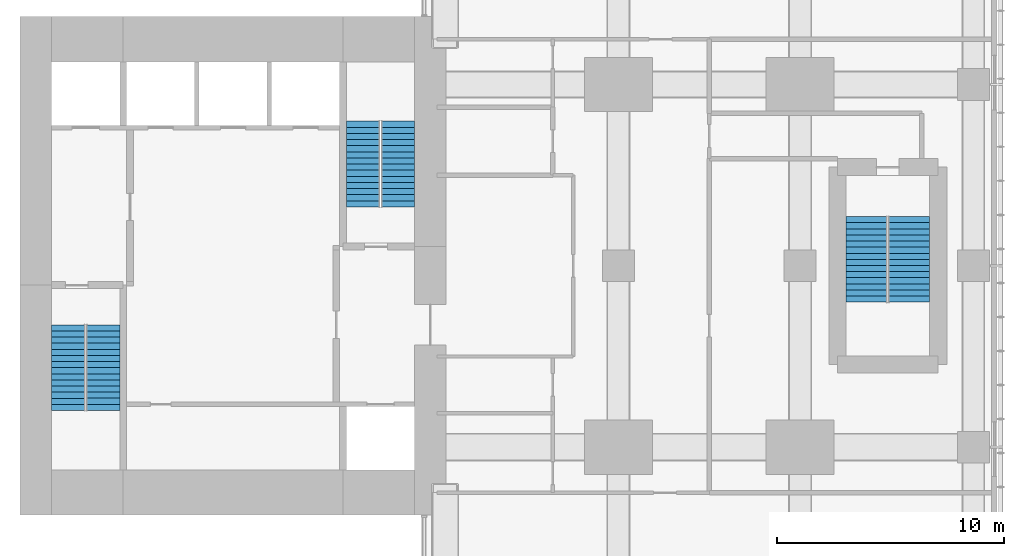
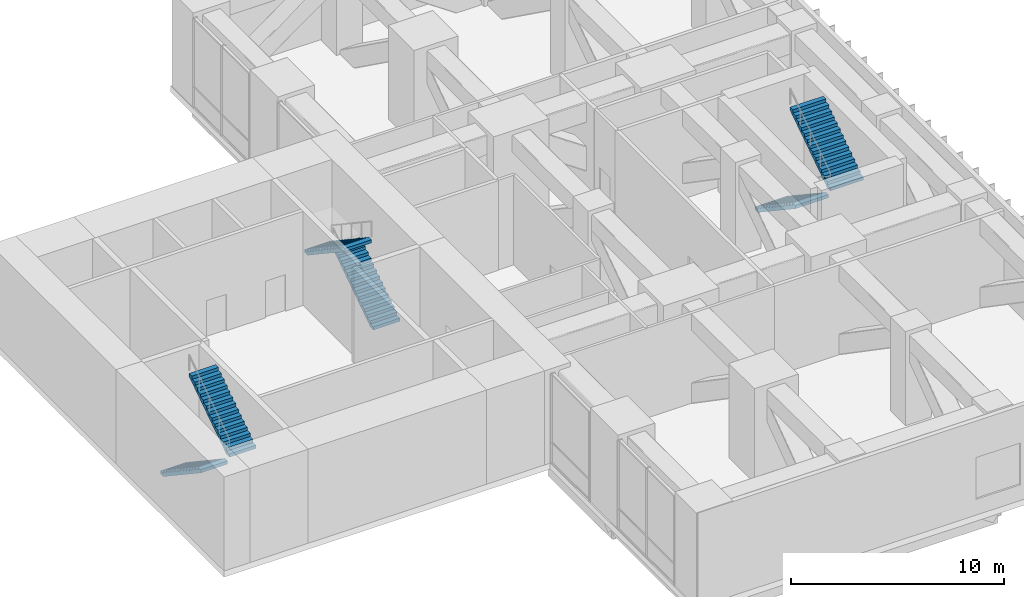
# One storey, part 9 of 10: 6 stair flights, 3 elements without a shape of their own.
"""IFC4 building model written with IfcOpenShell, lengths in metres."""

import ifcopenshell
import ifcopenshell.guid

model = None  # the IFC model being written
_history = None  # IfcOwnerHistory: only IFC2X3 demands one
_inside = {}  # id of a spatial element -> (the spatial element, [elements in it])
_under = {}  # id of a project, library or spatial element -> (it, [spatial elements below it])
_declared = {}  # id of a project -> (the project, [libraries it declares])
_typed = {}  # id of a type object -> (the type object, [elements of that type])
_made_of = {}  # id of a material, layer set ... -> (it, [elements and type objects made of it])


def new_model(schema):
    """Start an empty IFC model of exactly this schema.

    Asked for "IFC4X3", IfcOpenShell would pick the latest addendum, in which some entities
    have other attributes; the version numbers below select the first issue.
    IFC2X3 requires an IfcOwnerHistory on every rooted entity: one is made here for all.
    """
    global model, _history
    if schema == "IFC4X3":
        model = ifcopenshell.file(schema_version=(4, 3, 0, 0))
    else:
        model = ifcopenshell.file(schema=schema)
    _inside.clear()
    _under.clear()
    _declared.clear()
    _typed.clear()
    _made_of.clear()
    _history = None
    if model.schema == "IFC2X3":
        org = make("IfcOrganization", Name="unknown")
        user = make(
            "IfcPersonAndOrganization",
            ThePerson=make("IfcPerson", FamilyName="unknown"),
            TheOrganization=org,
        )
        app = make(
            "IfcApplication",
            ApplicationDeveloper=org,
            Version="unknown",
            ApplicationFullName="unknown",
            ApplicationIdentifier="unknown",
        )
        _history = make(
            "IfcOwnerHistory",
            OwningUser=user,
            OwningApplication=app,
            ChangeAction="ADDED",
            CreationDate=0,
        )
    return model


def make(cls, **values):
    """One entity of the class cls with the attributes given. An attribute that is None is left unset."""
    return model.create_entity(
        cls, **{name: value for name, value in values.items() if value is not None}
    )


def rooted(cls, **values):
    """An entity with a GlobalId (a new one), such as an element, a storey or a relation."""
    return make(cls, GlobalId=ifcopenshell.guid.new(), OwnerHistory=_history, **values)


def si_unit(unit_type, name, prefix=None):
    """IfcSIUnit, for example si_unit("LENGTHUNIT", "METRE", prefix="MILLI")."""
    return make("IfcSIUnit", UnitType=unit_type, Prefix=prefix, Name=name)


def assignment(units):
    """IfcUnitAssignment: the units of a project."""
    return None if units is None else make("IfcUnitAssignment", Units=units)


def point(xyz):
    """IfcCartesianPoint."""
    return None if xyz is None else make("IfcCartesianPoint", Coordinates=xyz)


def direction(xyz):
    """IfcDirection."""
    return None if xyz is None else make("IfcDirection", DirectionRatios=xyz)


def frame(location, z_axis=None, x_axis=None):
    """IfcAxis2Placement3D, a coordinate frame: its origin and axes. An axis left out is left unset."""
    return make(
        "IfcAxis2Placement3D",
        Location=point(location),
        Axis=direction(z_axis),
        RefDirection=direction(x_axis),
    )


def origin():
    """The frame at (0, 0, 0) with its axes left unset."""
    return frame((0.0, 0.0, 0.0))


def place(relative_to, where):
    """IfcLocalPlacement: puts the frame where relative to a parent placement (None: the world)."""
    return make(
        "IfcLocalPlacement", PlacementRelTo=relative_to, RelativePlacement=where
    )


def context(
    kind, dimensions, precision=None, world=None, true_north=None, identifier=None
):
    """IfcGeometricRepresentationContext, for example the 3D "Model" context."""
    return make(
        "IfcGeometricRepresentationContext",
        ContextIdentifier=identifier,
        ContextType=kind,
        CoordinateSpaceDimension=dimensions,
        Precision=precision,
        WorldCoordinateSystem=world,
        TrueNorth=true_north,
    )


def subcontext(parent, identifier, kind, view, scale=None):
    """IfcGeometricRepresentationSubContext, for example "Body" below "Model"."""
    return make(
        "IfcGeometricRepresentationSubContext",
        ContextIdentifier=identifier,
        ContextType=kind,
        ParentContext=parent,
        TargetScale=scale,
        TargetView=view,
    )


def project(units=None, contexts=None):
    """IfcProject with its units and contexts."""
    return rooted(
        "IfcProject",
        Name="project",
        RepresentationContexts=contexts,
        UnitsInContext=assignment(units),
    )


def spatial(cls, under=None, at=None, **own):
    """A site, building, storey or space (cls), placed at a placement, below another one or the project."""
    s = rooted(cls, ObjectPlacement=at, **own)
    if under is not None:
        _under.setdefault(under.id(), (under, []))[1].append(s)
    return s


def polyline(points):
    """IfcPolyline through the points."""
    return make("IfcPolyline", Points=[point(p) for p in points])


def outline(outer, holes=None, kind="AREA"):
    """IfcArbitraryClosedProfileDef: a profile drawn as a closed curve; with holes, ...WithVoids."""
    if holes is None:
        return make("IfcArbitraryClosedProfileDef", ProfileType=kind, OuterCurve=outer)
    return make(
        "IfcArbitraryProfileDefWithVoids",
        ProfileType=kind,
        OuterCurve=outer,
        InnerCurves=holes,
    )


def extrude(swept, where, along, depth):
    """IfcExtrudedAreaSolid: the profile swept, set in the frame where, extruded along a direction by depth."""
    return make(
        "IfcExtrudedAreaSolid",
        SweptArea=swept,
        Position=where,
        ExtrudedDirection=direction(along),
        Depth=depth,
    )


def shape(context_of_items, identifier, shape_type, items):
    """IfcShapeRepresentation: the items that make up one representation, for example the "Body"."""
    return make(
        "IfcShapeRepresentation",
        ContextOfItems=context_of_items,
        RepresentationIdentifier=identifier,
        RepresentationType=shape_type,
        Items=items,
    )


def material(Name=None, Category=None):
    """IfcMaterial."""
    return make("IfcMaterial", Name=Name, Category=Category)


def made_of(thing, what):
    """Note that an element or type object is made of a material, layer set ...; save() writes the relation."""
    if what is not None:
        _made_of.setdefault(what.id(), (what, []))[1].append(thing)
    return thing


def type_object(cls, material=None, **own):
    """A type object (cls), such as IfcWallType, which elements share."""
    return made_of(rooted(cls, **own), material)


def element(
    cls,
    number,
    at=None,
    inside=None,
    cuts=None,
    type_object=None,
    material=None,
    context=None,
    identifier="Body",
    shape_type=None,
    held_by="IfcProductDefinitionShape",
    body=None,
    shapes=None,
    **own,
):
    """One element of the class cls, such as IfcWall. Its Tag is "e" and its number.

    at: its placement. inside: the storey or other place that contains it. cuts: it is an
    opening in that element (IfcRelVoidsElement). A single representation is given by context,
    identifier, shape_type and body (its items); several are given by shapes. held_by: the class
    of the entity that holds the representations. save() writes the other relations.
    """
    e = rooted(cls, Tag="e%d" % number, ObjectPlacement=at, **own)
    if body is not None:
        shapes = [shape(context, identifier, shape_type, body)]
    if shapes is not None:
        e.Representation = make(held_by, Representations=shapes)
    if inside is not None:
        _inside.setdefault(inside.id(), (inside, []))[1].append(e)
    if cuts is not None:
        rooted(
            "IfcRelVoidsElement", RelatingBuildingElement=cuts, RelatedOpeningElement=e
        )
    if type_object is not None:
        _typed.setdefault(type_object.id(), (type_object, []))[1].append(e)
    return made_of(e, material)


def aggregate(whole, parts):
    """IfcRelAggregates: a whole, such as a stair, and the parts it consists of."""
    return rooted("IfcRelAggregates", RelatingObject=whole, RelatedObjects=parts)


def save(model, path):
    """Write the relations noted so far, then the file.

    IfcRelAggregates (storeys below a building ...), IfcRelContainedInSpatialStructure (elements
    in a storey), IfcRelDefinesByType, IfcRelAssociatesMaterial and IfcRelDeclares: one each for
    every whole, place, type object, material and project.
    """
    for whole, parts in _under.values():
        aggregate(whole, parts)
    for where, things in _inside.values():
        rooted(
            "IfcRelContainedInSpatialStructure",
            RelatedElements=things,
            RelatingStructure=where,
        )
    for kind, things in _typed.values():
        rooted("IfcRelDefinesByType", RelatedObjects=things, RelatingType=kind)
    for what, things in _made_of.values():
        rooted("IfcRelAssociatesMaterial", RelatedObjects=things, RelatingMaterial=what)
    for by, libraries in _declared.values():
        rooted("IfcRelDeclares", RelatingContext=by, RelatedDefinitions=libraries)
    model.write(path)


model = new_model("IFC4")

# Units and contexts
model_context = context("Model", 3, precision=1e-05, world=origin(), true_north=direction((0.0, 1.0)))
body_context = subcontext(model_context, "Body", "Model", "MODEL_VIEW")
ifc_project = project(units=[si_unit("LENGTHUNIT", "METRE"), si_unit("AREAUNIT", "SQUARE_METRE"), si_unit("VOLUMEUNIT", "CUBIC_METRE"), si_unit("PLANEANGLEUNIT", "RADIAN"), si_unit("MASSUNIT", "GRAM", prefix="KILO")], contexts=[model_context])

# Site, building, storey
site_placement = place(None, origin())
site = spatial("IfcSite", under=ifc_project, at=site_placement, CompositionType="ELEMENT")
building_placement = place(site_placement, origin())
building = spatial("IfcBuilding", under=site, at=building_placement, Name="Cleftline Residences", CompositionType="ELEMENT")
storey_placement = place(building_placement, frame((0.0, 0.0, 277.199951171875)))
storey = spatial("IfcBuildingStorey", under=building, at=storey_placement, Name="L73", CompositionType="ELEMENT", Elevation=277.199951171875)

# Stair, stair flights
ifc_material_1 = material(Name="Concrete B45, stone treads", Category="masonry")
stair_type_1 = type_object("IfcStairType", Name="STAIR A 1450 WIDE 180 RISER", PredefinedType="HALF_TURN_STAIR", material=ifc_material_1)
stair_1_placement = place(storey_placement, origin())
stair_1 = element("IfcStair", 1, at=stair_1_placement, inside=storey, type_object=stair_type_1, Name="Stair A L73", PredefinedType="HALF_TURN_STAIR")
ifc_material_2 = material(Name="Concrete B45", Category="concrete")
stair_flight_type_1 = type_object("IfcStairFlightType", Name="STAIR A FLIGHT 1450X180", PredefinedType="STRAIGHT", material=ifc_material_2)
stair_flight_1_placement = place(storey_placement, frame((25.72509765625, 21.39990234375, 0.0), z_axis=(0.0, 0.0, 1.0), x_axis=(0.0, -1.0, 0.0)))
stair_flight_1 = element("IfcStairFlight", 2, at=stair_flight_1_placement, type_object=stair_flight_type_1, Name="ST-A flight 1", NumberOfRisers=15, NumberOfTreads=14, PredefinedType="STRAIGHT", RiserHeight=0.18, TreadLength=0.27, context=body_context, shape_type="SweptSolid", body=[
    extrude(outline(polyline([(0.0, 0.0), (0.0, 0.013916015625), (0.0, 0.027587890625), (0.0, 0.04150390625), (0.0, 0.055419921875), (0.0, 0.0693359375), (0.0, 0.0830078125), (0.0, 0.096923828125), (0.0, 0.11083984375), (0.0, 0.12451171875), (0.0, 0.138427734375), (0.0, 0.15234375), (0.0, 0.166259765625), (0.0, 0.179931640625), (0.27001953125, 0.179931640625), (0.27001953125, 0.360107421875), (0.5400390625, 0.360107421875), (0.5400390625, 0.5400390625), (0.81005859375, 0.5400390625), (0.81005859375, 0.719970703125), (1.080078125, 0.719970703125), (1.080078125, 0.89990234375), (1.35009765625, 0.89990234375), (1.35009765625, 1.080078125), (1.6201171875, 1.080078125), (1.6201171875, 1.260009765625), (1.889892578125, 1.260009765625), (1.889892578125, 1.43994140625), (2.159912109375, 1.43994140625), (2.159912109375, 1.6201171875), (2.429931640625, 1.6201171875), (2.429931640625, 1.800048828125), (2.699951171875, 1.800048828125), (2.699951171875, 1.97998046875), (2.969970703125, 1.97998046875), (2.969970703125, 2.159912109375), (3.239990234375, 2.159912109375), (3.239990234375, 2.340087890625), (3.510009765625, 2.340087890625), (3.510009765625, 2.52001953125), (3.780029296875, 2.52001953125), (3.780029296875, 2.699951171875), (3.780029296875, 2.67236328125), (3.780029296875, 2.64453125), (3.780029296875, 2.616943359375), (3.780029296875, 2.589111328125), (3.780029296875, 2.5615234375), (3.780029296875, 2.53369140625), (3.780029296875, 2.506103515625), (3.780029296875, 2.478271484375), (3.780029296875, 2.45068359375), (3.780029296875, 2.4228515625), (3.780029296875, 2.395263671875), (3.780029296875, 2.367431640625), (3.780029296875, 2.33984375), (0.270263671875, 0.0), (0.0, 0.0)])), frame((0.0, 0.72509765625, 0.0), z_axis=(0.0, -1.0, 0.0), x_axis=(1.0, 0.0, 0.0)), (0.0, 0.0, 1.0), 1.449951171875),
])
stair_flight_2_placement = place(storey_placement, frame((27.27490234375, 17.6201171875, 2.699951171875), z_axis=(0.0, 0.0, 1.0), x_axis=(0.0, 1.0, 0.0)))
stair_flight_2 = element("IfcStairFlight", 3, at=stair_flight_2_placement, type_object=stair_flight_type_1, Name="ST-A flight 2", NumberOfRisers=15, NumberOfTreads=14, PredefinedType="STRAIGHT", RiserHeight=0.18, TreadLength=0.27, context=body_context, shape_type="SweptSolid", body=[
    extrude(outline(polyline([(0.0, 0.0), (0.0, 0.013916015625), (0.0, 0.027587890625), (0.0, 0.04150390625), (0.0, 0.055419921875), (0.0, 0.0693359375), (0.0, 0.0830078125), (0.0, 0.096923828125), (0.0, 0.11083984375), (0.0, 0.12451171875), (0.0, 0.138427734375), (0.0, 0.15234375), (0.0, 0.166259765625), (0.0, 0.179931640625), (0.27001953125, 0.179931640625), (0.27001953125, 0.360107421875), (0.5400390625, 0.360107421875), (0.5400390625, 0.5400390625), (0.81005859375, 0.5400390625), (0.81005859375, 0.719970703125), (1.080078125, 0.719970703125), (1.080078125, 0.89990234375), (1.35009765625, 0.89990234375), (1.35009765625, 1.080078125), (1.6201171875, 1.080078125), (1.6201171875, 1.260009765625), (1.889892578125, 1.260009765625), (1.889892578125, 1.43994140625), (2.159912109375, 1.43994140625), (2.159912109375, 1.6201171875), (2.429931640625, 1.6201171875), (2.429931640625, 1.800048828125), (2.699951171875, 1.800048828125), (2.699951171875, 1.97998046875), (2.969970703125, 1.97998046875), (2.969970703125, 2.159912109375), (3.239990234375, 2.159912109375), (3.239990234375, 2.340087890625), (3.510009765625, 2.340087890625), (3.510009765625, 2.52001953125), (3.780029296875, 2.52001953125), (3.780029296875, 2.699951171875), (3.780029296875, 2.67236328125), (3.780029296875, 2.64453125), (3.780029296875, 2.616943359375), (3.780029296875, 2.589111328125), (3.780029296875, 2.5615234375), (3.780029296875, 2.53369140625), (3.780029296875, 2.506103515625), (3.780029296875, 2.478271484375), (3.780029296875, 2.45068359375), (3.780029296875, 2.4228515625), (3.780029296875, 2.395263671875), (3.780029296875, 2.367431640625), (3.780029296875, 2.33984375), (0.270263671875, 0.0), (0.0, 0.0)])), frame((0.0, 0.72509765625, 0.0), z_axis=(0.0, -1.0, 0.0), x_axis=(1.0, 0.0, 0.0)), (0.0, 0.0, 1.0), 1.449951171875),
])
aggregate(stair_1, [stair_flight_1, stair_flight_2])

ifc_material_3 = material(Name="Concrete B45, stone treads", Category="masonry")
stair_type_2 = type_object("IfcStairType", Name="STAIR B 1450 WIDE 180 RISER", PredefinedType="HALF_TURN_STAIR", material=ifc_material_3)
stair_2_placement = place(storey_placement, origin())
stair_2 = element("IfcStair", 4, at=stair_2_placement, inside=storey, type_object=stair_type_2, Name="Stair B L73", PredefinedType="HALF_TURN_STAIR")
ifc_material_4 = material(Name="Concrete B45", Category="concrete")
stair_flight_type_2 = type_object("IfcStairFlightType", Name="STAIR B FLIGHT 1450X180", PredefinedType="STRAIGHT", material=ifc_material_4)
stair_flight_3_placement = place(storey_placement, frame((40.27490234375, 26.60009765625, 0.0), z_axis=(0.0, 0.0, 1.0), x_axis=(0.0, 1.0, 0.0)))
stair_flight_3 = element("IfcStairFlight", 5, at=stair_flight_3_placement, type_object=stair_flight_type_2, Name="ST-B flight 1", NumberOfRisers=15, NumberOfTreads=14, PredefinedType="STRAIGHT", RiserHeight=0.18, TreadLength=0.27, context=body_context, shape_type="SweptSolid", body=[
    extrude(outline(polyline([(0.0, 0.0), (0.0, 0.013916015625), (0.0, 0.027587890625), (0.0, 0.04150390625), (0.0, 0.055419921875), (0.0, 0.0693359375), (0.0, 0.0830078125), (0.0, 0.096923828125), (0.0, 0.11083984375), (0.0, 0.12451171875), (0.0, 0.138427734375), (0.0, 0.15234375), (0.0, 0.166259765625), (0.0, 0.179931640625), (0.27001953125, 0.179931640625), (0.27001953125, 0.360107421875), (0.5400390625, 0.360107421875), (0.5400390625, 0.5400390625), (0.81005859375, 0.5400390625), (0.81005859375, 0.719970703125), (1.080078125, 0.719970703125), (1.080078125, 0.89990234375), (1.35009765625, 0.89990234375), (1.35009765625, 1.080078125), (1.6201171875, 1.080078125), (1.6201171875, 1.260009765625), (1.889892578125, 1.260009765625), (1.889892578125, 1.43994140625), (2.159912109375, 1.43994140625), (2.159912109375, 1.6201171875), (2.429931640625, 1.6201171875), (2.429931640625, 1.800048828125), (2.699951171875, 1.800048828125), (2.699951171875, 1.97998046875), (2.969970703125, 1.97998046875), (2.969970703125, 2.159912109375), (3.239990234375, 2.159912109375), (3.239990234375, 2.340087890625), (3.510009765625, 2.340087890625), (3.510009765625, 2.52001953125), (3.780029296875, 2.52001953125), (3.780029296875, 2.699951171875), (3.780029296875, 2.67236328125), (3.780029296875, 2.64453125), (3.780029296875, 2.616943359375), (3.780029296875, 2.589111328125), (3.780029296875, 2.5615234375), (3.780029296875, 2.53369140625), (3.780029296875, 2.506103515625), (3.780029296875, 2.478271484375), (3.780029296875, 2.45068359375), (3.780029296875, 2.4228515625), (3.780029296875, 2.395263671875), (3.780029296875, 2.367431640625), (3.780029296875, 2.33984375), (0.270263671875, 0.0), (0.0, 0.0)])), frame((0.0, 0.72509765625, 0.0), z_axis=(0.0, -1.0, 0.0), x_axis=(1.0, 0.0, 0.0)), (0.0, 0.0, 1.0), 1.449951171875),
])
stair_flight_4_placement = place(storey_placement, frame((38.72509765625, 30.3798828125, 2.699951171875), z_axis=(0.0, 0.0, 1.0), x_axis=(0.0, -1.0, 0.0)))
stair_flight_4 = element("IfcStairFlight", 6, at=stair_flight_4_placement, type_object=stair_flight_type_2, Name="ST-B flight 2", NumberOfRisers=15, NumberOfTreads=14, PredefinedType="STRAIGHT", RiserHeight=0.18, TreadLength=0.27, context=body_context, shape_type="SweptSolid", body=[
    extrude(outline(polyline([(0.0, 0.0), (0.0, 0.013916015625), (0.0, 0.027587890625), (0.0, 0.04150390625), (0.0, 0.055419921875), (0.0, 0.0693359375), (0.0, 0.0830078125), (0.0, 0.096923828125), (0.0, 0.11083984375), (0.0, 0.12451171875), (0.0, 0.138427734375), (0.0, 0.15234375), (0.0, 0.166259765625), (0.0, 0.179931640625), (0.27001953125, 0.179931640625), (0.27001953125, 0.360107421875), (0.5400390625, 0.360107421875), (0.5400390625, 0.5400390625), (0.81005859375, 0.5400390625), (0.81005859375, 0.719970703125), (1.080078125, 0.719970703125), (1.080078125, 0.89990234375), (1.35009765625, 0.89990234375), (1.35009765625, 1.080078125), (1.6201171875, 1.080078125), (1.6201171875, 1.260009765625), (1.889892578125, 1.260009765625), (1.889892578125, 1.43994140625), (2.159912109375, 1.43994140625), (2.159912109375, 1.6201171875), (2.429931640625, 1.6201171875), (2.429931640625, 1.800048828125), (2.699951171875, 1.800048828125), (2.699951171875, 1.97998046875), (2.969970703125, 1.97998046875), (2.969970703125, 2.159912109375), (3.239990234375, 2.159912109375), (3.239990234375, 2.340087890625), (3.510009765625, 2.340087890625), (3.510009765625, 2.52001953125), (3.780029296875, 2.52001953125), (3.780029296875, 2.699951171875), (3.780029296875, 2.67236328125), (3.780029296875, 2.64453125), (3.780029296875, 2.616943359375), (3.780029296875, 2.589111328125), (3.780029296875, 2.5615234375), (3.780029296875, 2.53369140625), (3.780029296875, 2.506103515625), (3.780029296875, 2.478271484375), (3.780029296875, 2.45068359375), (3.780029296875, 2.4228515625), (3.780029296875, 2.395263671875), (3.780029296875, 2.367431640625), (3.780029296875, 2.33984375), (0.270263671875, 0.0), (0.0, 0.0)])), frame((0.0, 0.72509765625, 0.0), z_axis=(0.0, -1.0, 0.0), x_axis=(1.0, 0.0, 0.0)), (0.0, 0.0, 1.0), 1.449951171875),
])
aggregate(stair_2, [stair_flight_3, stair_flight_4])

ifc_material_5 = material(Name="Concrete B45, stone treads", Category="masonry")
stair_type_3 = type_object("IfcStairType", Name="STAIR E 1800 WIDE 180 RISER", PredefinedType="HALF_TURN_STAIR", material=ifc_material_5)
stair_3_placement = place(storey_placement, origin())
stair_3 = element("IfcStair", 7, at=stair_3_placement, inside=storey, type_object=stair_type_3, Name="Stair E L73", PredefinedType="HALF_TURN_STAIR")
ifc_material_6 = material(Name="Concrete B45", Category="concrete")
stair_flight_type_3 = type_object("IfcStairFlightType", Name="STAIR E FLIGHT 1800X180", PredefinedType="STRAIGHT", material=ifc_material_6)
stair_flight_5_placement = place(storey_placement, frame((60.925048828125, 26.175048828125, 0.0), z_axis=(0.0, 0.0, 1.0), x_axis=(0.0, -1.0, 0.0)))
stair_flight_5 = element("IfcStairFlight", 8, at=stair_flight_5_placement, type_object=stair_flight_type_3, Name="ST-E flight 1", NumberOfRisers=15, NumberOfTreads=14, PredefinedType="STRAIGHT", RiserHeight=0.18, TreadLength=0.27, context=body_context, shape_type="SweptSolid", body=[
    extrude(outline(polyline([(0.0, 0.0), (0.0, 0.013916015625), (0.0, 0.027587890625), (0.0, 0.04150390625), (0.0, 0.055419921875), (0.0, 0.0693359375), (0.0, 0.0830078125), (0.0, 0.096923828125), (0.0, 0.11083984375), (0.0, 0.12451171875), (0.0, 0.138427734375), (0.0, 0.15234375), (0.0, 0.166259765625), (0.0, 0.179931640625), (0.27001953125, 0.179931640625), (0.27001953125, 0.360107421875), (0.5400390625, 0.360107421875), (0.5400390625, 0.5400390625), (0.81005859375, 0.5400390625), (0.81005859375, 0.719970703125), (1.080078125, 0.719970703125), (1.080078125, 0.89990234375), (1.35009765625, 0.89990234375), (1.35009765625, 1.080078125), (1.6201171875, 1.080078125), (1.6201171875, 1.260009765625), (1.889892578125, 1.260009765625), (1.889892578125, 1.43994140625), (2.159912109375, 1.43994140625), (2.159912109375, 1.6201171875), (2.429931640625, 1.6201171875), (2.429931640625, 1.800048828125), (2.699951171875, 1.800048828125), (2.699951171875, 1.97998046875), (2.969970703125, 1.97998046875), (2.969970703125, 2.159912109375), (3.239990234375, 2.159912109375), (3.239990234375, 2.340087890625), (3.510009765625, 2.340087890625), (3.510009765625, 2.52001953125), (3.780029296875, 2.52001953125), (3.780029296875, 2.699951171875), (3.780029296875, 2.67236328125), (3.780029296875, 2.64453125), (3.780029296875, 2.616943359375), (3.780029296875, 2.589111328125), (3.780029296875, 2.5615234375), (3.780029296875, 2.53369140625), (3.780029296875, 2.506103515625), (3.780029296875, 2.478271484375), (3.780029296875, 2.45068359375), (3.780029296875, 2.4228515625), (3.780029296875, 2.395263671875), (3.780029296875, 2.367431640625), (3.780029296875, 2.33984375), (0.270263671875, 0.0), (0.0, 0.0)])), frame((0.0, 0.89990234375, 0.0), z_axis=(0.0, -1.0, 0.0), x_axis=(1.0, 0.0, 0.0)), (0.0, 0.0, 1.0), 1.800048828125),
])
stair_flight_6_placement = place(storey_placement, frame((62.824951171875, 22.39501953125, 2.699951171875), z_axis=(0.0, 0.0, 1.0), x_axis=(0.0, 1.0, 0.0)))
stair_flight_6 = element("IfcStairFlight", 9, at=stair_flight_6_placement, type_object=stair_flight_type_3, Name="ST-E flight 2", NumberOfRisers=15, NumberOfTreads=14, PredefinedType="STRAIGHT", RiserHeight=0.18, TreadLength=0.27, context=body_context, shape_type="SweptSolid", body=[
    extrude(outline(polyline([(0.0, 0.0), (0.0, 0.013916015625), (0.0, 0.027587890625), (0.0, 0.04150390625), (0.0, 0.055419921875), (0.0, 0.0693359375), (0.0, 0.0830078125), (0.0, 0.096923828125), (0.0, 0.11083984375), (0.0, 0.12451171875), (0.0, 0.138427734375), (0.0, 0.15234375), (0.0, 0.166259765625), (0.0, 0.179931640625), (0.27001953125, 0.179931640625), (0.27001953125, 0.360107421875), (0.5400390625, 0.360107421875), (0.5400390625, 0.5400390625), (0.81005859375, 0.5400390625), (0.81005859375, 0.719970703125), (1.080078125, 0.719970703125), (1.080078125, 0.89990234375), (1.35009765625, 0.89990234375), (1.35009765625, 1.080078125), (1.6201171875, 1.080078125), (1.6201171875, 1.260009765625), (1.889892578125, 1.260009765625), (1.889892578125, 1.43994140625), (2.159912109375, 1.43994140625), (2.159912109375, 1.6201171875), (2.429931640625, 1.6201171875), (2.429931640625, 1.800048828125), (2.699951171875, 1.800048828125), (2.699951171875, 1.97998046875), (2.969970703125, 1.97998046875), (2.969970703125, 2.159912109375), (3.239990234375, 2.159912109375), (3.239990234375, 2.340087890625), (3.510009765625, 2.340087890625), (3.510009765625, 2.52001953125), (3.780029296875, 2.52001953125), (3.780029296875, 2.699951171875), (3.780029296875, 2.67236328125), (3.780029296875, 2.64453125), (3.780029296875, 2.616943359375), (3.780029296875, 2.589111328125), (3.780029296875, 2.5615234375), (3.780029296875, 2.53369140625), (3.780029296875, 2.506103515625), (3.780029296875, 2.478271484375), (3.780029296875, 2.45068359375), (3.780029296875, 2.4228515625), (3.780029296875, 2.395263671875), (3.780029296875, 2.367431640625), (3.780029296875, 2.33984375), (0.270263671875, 0.0), (0.0, 0.0)])), frame((0.0, 0.89990234375, 0.0), z_axis=(0.0, -1.0, 0.0), x_axis=(1.0, 0.0, 0.0)), (0.0, 0.0, 1.0), 1.800048828125),
])
aggregate(stair_3, [stair_flight_5, stair_flight_6])

save(model, "model.ifc")
